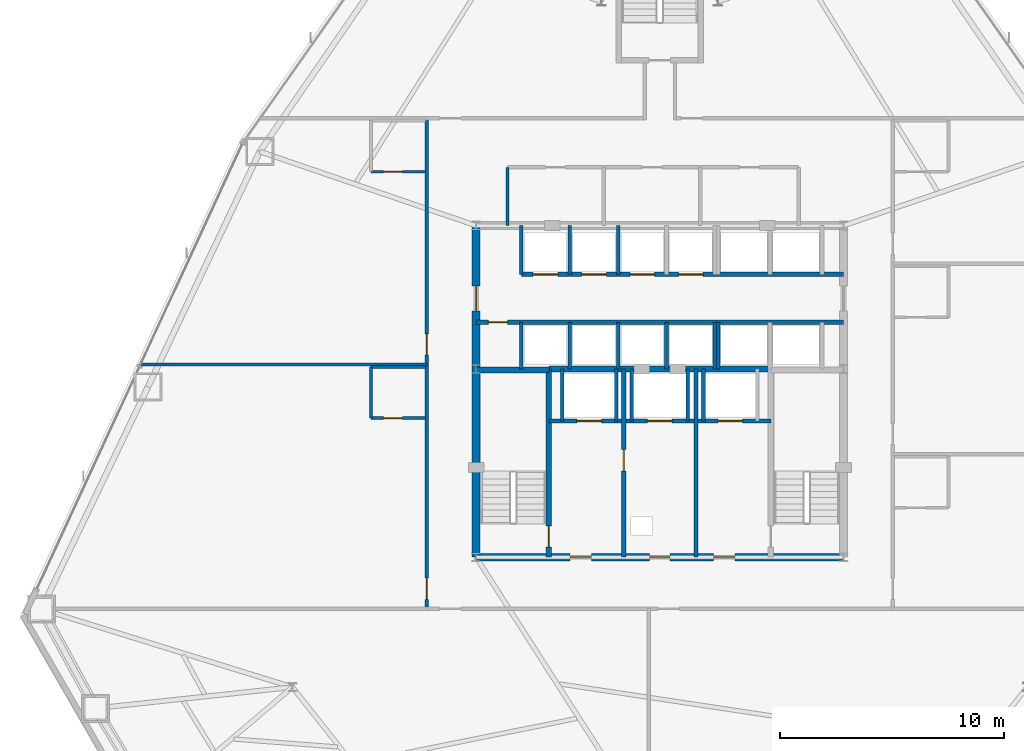
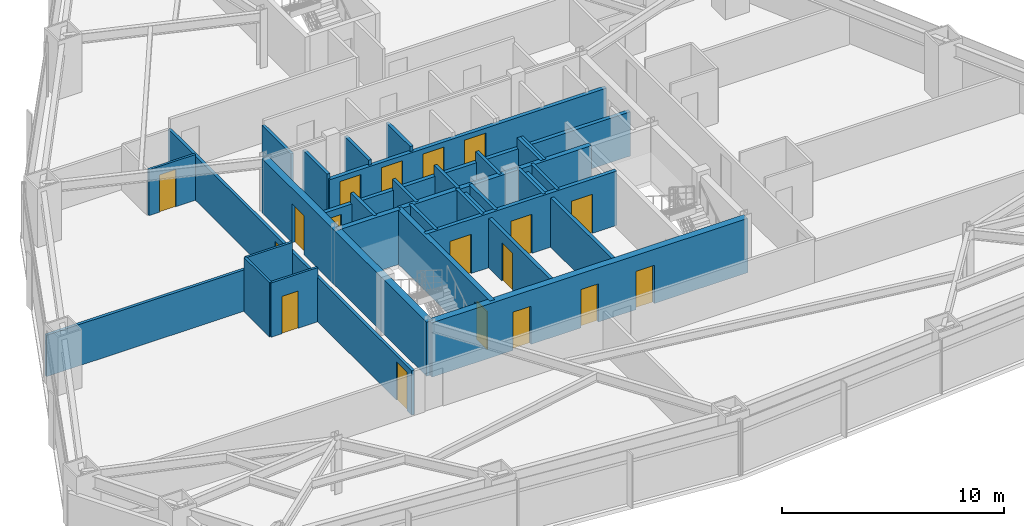
# One storey, part 9 of 12: 31 walls, 18 doors, 18 openings.
"""IFC4 building model written with IfcOpenShell, lengths in metres."""

from ifc_helpers import new_model, si_unit, direction, frame, frame_2d, origin, place, context, subcontext, project, spatial, rectangle, extrude, material, layer, layer_set, type_object, element, fill, save


model = new_model("IFC4")

# Units and contexts
model_context = context("Model", 3, precision=1e-05, world=origin(), true_north=direction((0.0, 1.0)))
body_context = subcontext(model_context, "Body", "Model", "MODEL_VIEW")
ifc_project = project(units=[si_unit("LENGTHUNIT", "METRE"), si_unit("AREAUNIT", "SQUARE_METRE"), si_unit("VOLUMEUNIT", "CUBIC_METRE"), si_unit("PLANEANGLEUNIT", "RADIAN"), si_unit("MASSUNIT", "GRAM", prefix="KILO")], contexts=[model_context])

# Site, building, storey
site_placement = place(None, origin())
site = spatial("IfcSite", under=ifc_project, at=site_placement, CompositionType="ELEMENT")
building_placement = place(site_placement, origin())
building = spatial("IfcBuilding", under=site, at=building_placement, Name="Varakhsha Concourse Tower", CompositionType="ELEMENT")
storey_placement = place(building_placement, frame((0.0, 0.0, 40.0)))
storey = spatial("IfcBuildingStorey", under=building, at=storey_placement, Name="L10", CompositionType="ELEMENT", Elevation=40.0)

# Wall, openings, doors
ifc_material_1 = material(Name="Concrete fc 65 MPa", Category="concrete")
ifc_layer_1 = layer(ifc_material_1, 0.35009765625, Name="WL-CORE-350")
ifc_layer_set_1 = layer_set([ifc_layer_1], Name="Concrete fc 65 MPa")
wall_type_1 = type_object("IfcWallType", Name="WL-CORE-350", PredefinedType="SHEAR", material=ifc_layer_set_1)
wall_1_placement = place(storey_placement, frame((31.800048828125, 16.39990234375, 0.0), z_axis=(0.0, 0.0, 1.0), x_axis=(1.0, 0.0, 0.0)))
wall_1 = element("IfcWall", 1, at=wall_1_placement, inside=storey, type_object=wall_type_1, Name="L10 Wall CWALL-S-L10", PredefinedType="SHEAR", context=body_context, shape_type="SweptSolid", body=[
    extrude(rectangle(XDim=16.39990234375, YDim=0.35009765625, at=frame_2d((8.199951171875, 0.0))), origin(), (0.0, 0.0, 1.0), 2.97998046875),
])
opening_1_placement = place(wall_1_placement, frame((7.75, 0.0, 0.0)))
opening_1 = element("IfcOpeningElement", 2, at=opening_1_placement, cuts=wall_1, Name="Opening DF-06", PredefinedType="OPENING", context=body_context, shape_type="SweptSolid", body=[
    extrude(rectangle(XDim=0.89990234375, YDim=2.10009765625, at=frame_2d((0.449951171875, 1.050048828125))), frame((0.0, 0.18505859375, 0.0), z_axis=(0.0, -1.0, 0.0), x_axis=(1.0, 0.0, 0.0)), (0.0, 0.0, 1.0), 0.3701171875),
])
opening_2_placement = place(wall_1_placement, frame((4.199951171875, 0.0, 0.0)))
opening_2 = element("IfcOpeningElement", 3, at=opening_2_placement, cuts=wall_1, Name="Opening DF-05", PredefinedType="OPENING", context=body_context, shape_type="SweptSolid", body=[
    extrude(rectangle(XDim=0.949951171875, YDim=2.10009765625, at=frame_2d((0.47509765625, 1.050048828125))), frame((0.0, 0.18505859375, 0.0), z_axis=(0.0, -1.0, 0.0), x_axis=(1.0, 0.0, 0.0)), (0.0, 0.0, 1.0), 0.3701171875),
])
opening_3_placement = place(wall_1_placement, frame((10.60009765625, 0.0, 0.0)))
opening_3 = element("IfcOpeningElement", 4, at=opening_3_placement, cuts=wall_1, Name="Opening DF-05", PredefinedType="OPENING", context=body_context, shape_type="SweptSolid", body=[
    extrude(rectangle(XDim=0.949951171875, YDim=2.10009765625, at=frame_2d((0.47509765625, 1.050048828125))), frame((0.0, 0.18505859375, 0.0), z_axis=(0.0, -1.0, 0.0), x_axis=(1.0, 0.0, 0.0)), (0.0, 0.0, 1.0), 0.3701171875),
])
ifc_material_2 = material(Name="Hollow Galvanised Steel Fire Door Assembly", Category="steel")
door_type_1 = type_object("IfcDoorType", Name="DR-FD60-900", OperationType="NOTDEFINED", PredefinedType="DOOR", material=ifc_material_2)
door_1_placement = place(opening_1_placement, origin())
door_1 = element("IfcDoor", 5, at=door_1_placement, inside=storey, type_object=door_type_1, Name="L10 Service Riser Vestibule Door", OperationType="SINGLE_SWING_LEFT", OverallHeight=2.10009765625, OverallWidth=0.89990234375, PredefinedType="DOOR", context=body_context, shape_type="SweptSolid", body=[
    extrude(rectangle(XDim=0.89990234375, YDim=2.10009765625, at=frame_2d((0.449951171875, 1.050048828125))), frame((0.0, 0.02490234375, 0.0), z_axis=(0.0, -1.0, 0.0), x_axis=(1.0, 0.0, 0.0)), (0.0, 0.0, 1.0), 0.050048828125),
])
fill(opening_1, door_1)
door_type_2 = type_object("IfcDoorType", Name="DR-FD60-950", OperationType="NOTDEFINED", PredefinedType="DOOR", material=ifc_material_2)
door_2_placement = place(opening_2_placement, origin())
door_2 = element("IfcDoor", 6, at=door_2_placement, inside=storey, type_object=door_type_2, Name="L10 Firefighting Lobby West Door", OperationType="SINGLE_SWING_RIGHT", OverallHeight=2.10009765625, OverallWidth=0.949951171875, PredefinedType="DOOR", context=body_context, shape_type="SweptSolid", body=[
    extrude(rectangle(XDim=0.949951171875, YDim=2.10009765625, at=frame_2d((0.47509765625, 1.050048828125))), frame((0.0, 0.02490234375, 0.0), z_axis=(0.0, -1.0, 0.0), x_axis=(1.0, 0.0, 0.0)), (0.0, 0.0, 1.0), 0.050048828125),
])
fill(opening_2, door_2)
door_3_placement = place(opening_3_placement, origin())
door_3 = element("IfcDoor", 7, at=door_3_placement, inside=storey, type_object=door_type_2, Name="L10 Firefighting Lobby East Door", OperationType="SINGLE_SWING_LEFT", OverallHeight=2.10009765625, OverallWidth=0.949951171875, PredefinedType="DOOR", context=body_context, shape_type="SweptSolid", body=[
    extrude(rectangle(XDim=0.949951171875, YDim=2.10009765625, at=frame_2d((0.47509765625, 1.050048828125))), frame((0.0, 0.02490234375, 0.0), z_axis=(0.0, -1.0, 0.0), x_axis=(1.0, 0.0, 0.0)), (0.0, 0.0, 1.0), 0.050048828125),
])
fill(opening_3, door_3)

# Wall, opening, door
wall_2_placement = place(storey_placement, frame((31.800048828125, 16.39990234375, 0.0), z_axis=(0.0, 0.0, 1.0), x_axis=(0.0, 1.0, 0.0)))
wall_2 = element("IfcWall", 8, at=wall_2_placement, inside=storey, type_object=wall_type_1, Name="L10 Wall CWALL-W-L10", PredefinedType="SHEAR", context=body_context, shape_type="SweptSolid", body=[
    extrude(rectangle(XDim=14.800048828125, YDim=0.35009765625, at=frame_2d((7.39990234375, 0.0))), origin(), (0.0, 0.0, 1.0), 2.97998046875),
])
opening_4_placement = place(wall_2_placement, frame((11.0, 0.0, 0.0)))
opening_4 = element("IfcOpeningElement", 9, at=opening_4_placement, cuts=wall_2, Name="Opening DL-01", PredefinedType="OPENING", context=body_context, shape_type="SweptSolid", body=[
    extrude(rectangle(XDim=1.10009765625, YDim=2.14990234375, at=frame_2d((0.550048828125, 1.074951171875))), frame((0.0, 0.18505859375, 0.0), z_axis=(0.0, -1.0, 0.0), x_axis=(1.0, 0.0, 0.0)), (0.0, 0.0, 1.0), 0.3701171875),
])
ifc_material_3 = material(Name="Anodised Bronze Architectural Aluminium AA 6063-T6", Category="aluminium")
door_type_3 = type_object("IfcDoorType", Name="DR-LOB-1100", OperationType="NOTDEFINED", PredefinedType="DOOR", material=ifc_material_3)
door_4_placement = place(opening_4_placement, origin())
door_4 = element("IfcDoor", 10, at=door_4_placement, inside=storey, type_object=door_type_3, Name="L10 Lift Lobby West Concourse Door", OperationType="SINGLE_SWING_LEFT", OverallHeight=2.14990234375, OverallWidth=1.10009765625, PredefinedType="DOOR", context=body_context, shape_type="SweptSolid", body=[
    extrude(rectangle(XDim=1.10009765625, YDim=2.14990234375, at=frame_2d((0.550048828125, 1.074951171875))), frame((0.0, 0.02490234375, 0.0), z_axis=(0.0, -1.0, 0.0), x_axis=(1.0, 0.0, 0.0)), (0.0, 0.0, 1.0), 0.050048828125),
])
fill(opening_4, door_4)

ifc_material_4 = material(Name="Fire-Rated Type X Gypsum Partition Assembly", Category="gypsum")
ifc_layer_2 = layer(ifc_material_4, 0.179931640625, Name="WL-FFLOB-180")
ifc_layer_set_2 = layer_set([ifc_layer_2], Name="Fire-Rated Type X Gypsum Partition Assembly")
wall_type_2 = type_object("IfcWallType", Name="WL-FFLOB-180", PredefinedType="PARTITIONING", material=ifc_layer_set_2)
wall_3_placement = place(storey_placement, frame((38.389892578125, 16.39990234375, 0.0), z_axis=(0.0, 0.0, 1.0), x_axis=(0.0, 1.0, 0.0)))
wall_3 = element("IfcWall", 11, at=wall_3_placement, inside=storey, type_object=wall_type_2, Name="L10 Wall FFW-1E-L10", PredefinedType="PARTITIONING", context=body_context, shape_type="SweptSolid", body=[
    extrude(rectangle(XDim=8.400146484375, YDim=0.179931640625, at=frame_2d((4.2001953125, 0.0))), origin(), (0.0, 0.0, 1.0), 2.7080078125),
])
opening_5_placement = place(wall_3_placement, frame((3.85009765625, 0.0, 0.0)))
opening_5 = element("IfcOpeningElement", 12, at=opening_5_placement, cuts=wall_3, Name="Opening DF-05", PredefinedType="OPENING", context=body_context, shape_type="SweptSolid", body=[
    extrude(rectangle(XDim=0.949951171875, YDim=2.10009765625, at=frame_2d((0.47509765625, 1.050048828125))), frame((0.0, 0.099853515625, 0.0), z_axis=(0.0, -1.0, 0.0), x_axis=(1.0, 0.0, 0.0)), (0.0, 0.0, 1.0), 0.199951171875),
])
door_5_placement = place(opening_5_placement, origin())
door_5 = element("IfcDoor", 13, at=door_5_placement, inside=storey, type_object=door_type_2, Name="L10 Service Vestibule Door", OperationType="SINGLE_SWING_RIGHT", OverallHeight=2.10009765625, OverallWidth=0.949951171875, PredefinedType="DOOR", context=body_context, shape_type="SweptSolid", body=[
    extrude(rectangle(XDim=0.949951171875, YDim=2.10009765625, at=frame_2d((0.47509765625, 1.050048828125))), frame((0.0, 0.02490234375, 0.0), z_axis=(0.0, -1.0, 0.0), x_axis=(1.0, 0.0, 0.0)), (0.0, 0.0, 1.0), 0.050048828125),
])
fill(opening_5, door_5)

# Walls
wall_4_placement = place(storey_placement, frame((41.610107421875, 16.39990234375, 0.0), z_axis=(0.0, 0.0, 1.0), x_axis=(0.0, 1.0, 0.0)))
element("IfcWall", 14, at=wall_4_placement, inside=storey, type_object=wall_type_2, Name="L10 Wall FFW-2W-L10", PredefinedType="PARTITIONING", context=body_context, shape_type="SweptSolid", body=[
    extrude(rectangle(XDim=8.400146484375, YDim=0.179931640625, at=frame_2d((4.2001953125, 0.0))), origin(), (0.0, 0.0, 1.0), 2.7080078125),
])
ifc_material_5 = material(Name="Acoustic Gypsum Board Partition Assembly", Category="gypsum")
ifc_layer_3 = layer(ifc_material_5, 0.1201171875, Name="WL-PART-120")
ifc_layer_set_3 = layer_set([ifc_layer_3], Name="Acoustic Gypsum Board Partition Assembly")
wall_type_3 = type_object("IfcWallType", Name="WL-PART-120", PredefinedType="PARTITIONING", material=ifc_layer_set_3)
wall_5_placement = place(storey_placement, frame((27.110107421875, 22.610107421875, 0.0), z_axis=(0.0, 0.0, 1.0), x_axis=(0.0, 1.0, 0.0)))
element("IfcWall", 15, at=wall_5_placement, inside=storey, type_object=wall_type_3, Name="L10 Wall ENSW-W-L10-H03", PredefinedType="PARTITIONING", context=body_context, shape_type="SweptSolid", body=[
    extrude(rectangle(XDim=2.27978515625, YDim=0.1201171875, at=frame_2d((1.139892578125, 0.0))), origin(), (0.0, 0.0, 1.0), 2.97998046875),
])

# Wall, opening, door
wall_6_placement = place(storey_placement, frame((27.110107421875, 22.610107421875, 0.0), z_axis=(0.0, 0.0, 1.0), x_axis=(1.0, 0.0, 0.0)))
wall_6 = element("IfcWall", 16, at=wall_6_placement, inside=storey, type_object=wall_type_3, Name="L10 Wall ENSW-S-L10-H03", PredefinedType="PARTITIONING", context=body_context, shape_type="SweptSolid", body=[
    extrude(rectangle(XDim=2.429931640625, YDim=0.1201171875, at=frame_2d((1.21484375, 0.0))), origin(), (0.0, 0.0, 1.0), 2.97998046875),
])
opening_6_placement = place(wall_6_placement, frame((0.550048828125, 0.0, 0.0)))
opening_6 = element("IfcOpeningElement", 17, at=opening_6_placement, cuts=wall_6, Name="Opening DI-01", PredefinedType="OPENING", context=body_context, shape_type="SweptSolid", body=[
    extrude(rectangle(XDim=0.85009765625, YDim=2.050048828125, at=frame_2d((0.425048828125, 1.02490234375))), frame((0.0, 0.070068359375, 0.0), z_axis=(0.0, -1.0, 0.0), x_axis=(1.0, 0.0, 0.0)), (0.0, 0.0, 1.0), 0.14013671875),
])
ifc_material_6 = material(Name="Architectural Walnut Acoustic Timber Door", Category="wood")
door_type_4 = type_object("IfcDoorType", Name="DR-INT-850", OperationType="NOTDEFINED", PredefinedType="DOOR", material=ifc_material_6)
door_6_placement = place(opening_6_placement, origin())
door_6 = element("IfcDoor", 18, at=door_6_placement, inside=storey, type_object=door_type_4, Name="L10 En-suite Bathroom Door L10-H03", OperationType="SINGLE_SWING_RIGHT", OverallHeight=2.050048828125, OverallWidth=0.85009765625, PredefinedType="DOOR", context=body_context, shape_type="SweptSolid", body=[
    extrude(rectangle(XDim=0.85009765625, YDim=2.050048828125, at=frame_2d((0.425048828125, 1.02490234375))), frame((0.0, 0.02490234375, 0.0), z_axis=(0.0, -1.0, 0.0), x_axis=(1.0, 0.0, 0.0)), (0.0, 0.0, 1.0), 0.050048828125),
])
fill(opening_6, door_6)

# Wall
wall_7_placement = place(storey_placement, frame((27.110107421875, 24.889892578125, 0.0), z_axis=(0.0, 0.0, 1.0), x_axis=(1.0, 0.0, 0.0)))
element("IfcWall", 19, at=wall_7_placement, inside=storey, type_object=wall_type_3, Name="L10 Wall ENSW-N-L10-H03", PredefinedType="PARTITIONING", context=body_context, shape_type="SweptSolid", body=[
    extrude(rectangle(XDim=2.429931640625, YDim=0.1201171875, at=frame_2d((1.21484375, 0.0))), origin(), (0.0, 0.0, 1.0), 2.97998046875),
])

# Wall, opening, door
wall_8_placement = place(storey_placement, frame((27.110107421875, 33.610107421875, 0.0), z_axis=(0.0, 0.0, 1.0), x_axis=(1.0, 0.0, 0.0)))
wall_8 = element("IfcWall", 20, at=wall_8_placement, inside=storey, type_object=wall_type_3, Name="L10 Wall ENSW-S-L10-H04", PredefinedType="PARTITIONING", context=body_context, shape_type="SweptSolid", body=[
    extrude(rectangle(XDim=2.429931640625, YDim=0.1201171875, at=frame_2d((1.21484375, 0.0))), origin(), (0.0, 0.0, 1.0), 2.512939453125),
])
opening_7_placement = place(wall_8_placement, frame((0.550048828125, 0.0, 0.0)))
opening_7 = element("IfcOpeningElement", 21, at=opening_7_placement, cuts=wall_8, Name="Opening DI-01", PredefinedType="OPENING", context=body_context, shape_type="SweptSolid", body=[
    extrude(rectangle(XDim=0.85009765625, YDim=2.050048828125, at=frame_2d((0.425048828125, 1.02490234375))), frame((0.0, 0.070068359375, 0.0), z_axis=(0.0, -1.0, 0.0), x_axis=(1.0, 0.0, 0.0)), (0.0, 0.0, 1.0), 0.14013671875),
])
door_7_placement = place(opening_7_placement, origin())
door_7 = element("IfcDoor", 22, at=door_7_placement, inside=storey, type_object=door_type_4, Name="L10 En-suite Bathroom Door L10-H04", OperationType="SINGLE_SWING_RIGHT", OverallHeight=2.050048828125, OverallWidth=0.85009765625, PredefinedType="DOOR", context=body_context, shape_type="SweptSolid", body=[
    extrude(rectangle(XDim=0.85009765625, YDim=2.050048828125, at=frame_2d((0.425048828125, 1.02490234375))), frame((0.0, 0.02490234375, 0.0), z_axis=(0.0, -1.0, 0.0), x_axis=(1.0, 0.0, 0.0)), (0.0, 0.0, 1.0), 0.050048828125),
])
fill(opening_7, door_7)

# Wall
ifc_layer_4 = layer(ifc_material_4, 0.14990234375, Name="WL-PART-150")
ifc_layer_set_4 = layer_set([ifc_layer_4], Name="Fire-Rated Type X Gypsum Partition Assembly")
wall_type_4 = type_object("IfcWallType", Name="WL-PART-150", PredefinedType="PARTITIONING", material=ifc_layer_set_4)
wall_9_placement = place(storey_placement, frame((33.199951171875, 31.199951171875, 0.0), z_axis=(0.0, 0.0, 1.0), x_axis=(0.0, 1.0, 0.0)))
element("IfcWall", 23, at=wall_9_placement, inside=storey, type_object=wall_type_4, Name="L10 Wall NBOH-W-L10", PredefinedType="PARTITIONING", context=body_context, shape_type="SweptSolid", body=[
    extrude(rectangle(XDim=2.60009765625, YDim=0.14990234375, at=frame_2d((1.300048828125, 0.0))), origin(), (0.0, 0.0, 1.0), 2.7080078125),
])

# Wall, openings, doors
wall_10_placement = place(storey_placement, frame((29.60009765625, 14.10009765625, 0.0), z_axis=(0.0, 0.0, 1.0), x_axis=(0.0, 1.0, 0.0)))
wall_10 = element("IfcWall", 24, at=wall_10_placement, inside=storey, type_object=wall_type_4, Name="L10 Wall CRW-W-L10", PredefinedType="PARTITIONING", context=body_context, shape_type="SweptSolid", body=[
    extrude(rectangle(XDim=21.89990234375, YDim=0.14990234375, at=frame_2d((10.949951171875, 0.0))), origin(), (0.0, 0.0, 1.0), 2.430908203125),
])
opening_8_placement = place(wall_10_placement, frame((0.419921875, 0.0, 0.0)))
opening_8 = element("IfcOpeningElement", 25, at=opening_8_placement, cuts=wall_10, Name="Opening DF-05", PredefinedType="OPENING", context=body_context, shape_type="SweptSolid", body=[
    extrude(rectangle(XDim=0.949951171875, YDim=2.10009765625, at=frame_2d((0.47509765625, 1.050048828125))), frame((0.0, 0.0849609375, 0.0), z_axis=(0.0, -1.0, 0.0), x_axis=(1.0, 0.0, 0.0)), (0.0, 0.0, 1.0), 0.169921875),
])
opening_9_placement = place(wall_10_placement, frame((11.320068359375, 0.0, 0.0)))
opening_9 = element("IfcOpeningElement", 26, at=opening_9_placement, cuts=wall_10, Name="Opening DF-05", PredefinedType="OPENING", context=body_context, shape_type="SweptSolid", body=[
    extrude(rectangle(XDim=0.949951171875, YDim=2.10009765625, at=frame_2d((0.47509765625, 1.050048828125))), frame((0.0, 0.0849609375, 0.0), z_axis=(0.0, -1.0, 0.0), x_axis=(1.0, 0.0, 0.0)), (0.0, 0.0, 1.0), 0.169921875),
])
door_8_placement = place(opening_8_placement, origin())
door_8 = element("IfcDoor", 27, at=door_8_placement, inside=storey, type_object=door_type_2, Name="L10 Hotel Corner Suite L10-H03 Entry Door", OperationType="SINGLE_SWING_LEFT", OverallHeight=2.10009765625, OverallWidth=0.949951171875, PredefinedType="DOOR", context=body_context, shape_type="SweptSolid", body=[
    extrude(rectangle(XDim=0.949951171875, YDim=2.10009765625, at=frame_2d((0.47509765625, 1.050048828125))), frame((0.0, 0.02490234375, 0.0), z_axis=(0.0, -1.0, 0.0), x_axis=(1.0, 0.0, 0.0)), (0.0, 0.0, 1.0), 0.050048828125),
])
fill(opening_8, door_8)
door_9_placement = place(opening_9_placement, origin())
door_9 = element("IfcDoor", 28, at=door_9_placement, inside=storey, type_object=door_type_2, Name="L10 Hotel Corner Suite L10-H04 Entry Door", OperationType="SINGLE_SWING_RIGHT", OverallHeight=2.10009765625, OverallWidth=0.949951171875, PredefinedType="DOOR", context=body_context, shape_type="SweptSolid", body=[
    extrude(rectangle(XDim=0.949951171875, YDim=2.10009765625, at=frame_2d((0.47509765625, 1.050048828125))), frame((0.0, 0.02490234375, 0.0), z_axis=(0.0, -1.0, 0.0), x_axis=(1.0, 0.0, 0.0)), (0.0, 0.0, 1.0), 0.050048828125),
])
fill(opening_9, door_9)

# Wall
wall_11_placement = place(storey_placement, frame((16.8251953125, 25.0, 0.0), z_axis=(0.0, 0.0, 1.0), x_axis=(1.0, 0.0, 0.0)))
element("IfcWall", 29, at=wall_11_placement, inside=storey, type_object=wall_type_4, Name="L10 Wall HDIV-W1-L10", PredefinedType="PARTITIONING", context=body_context, shape_type="SweptSolid", body=[
    extrude(rectangle(XDim=12.77490234375, YDim=0.14990234375, at=frame_2d((6.387451171875, 0.0))), origin(), (0.0, 0.0, 1.0), 2.26806640625),
])

# Wall, openings, doors
ifc_layer_5 = layer(ifc_material_4, 0.199951171875, Name="WL-SHAFT-220")
ifc_layer_set_5 = layer_set([ifc_layer_5], Name="Fire-Rated Type X Gypsum Partition Assembly")
wall_type_5 = type_object("IfcWallType", Name="WL-SHAFT-220", PredefinedType="SOLIDWALL", material=ifc_layer_set_5)
wall_12_placement = place(storey_placement, frame((35.044921875, 22.47998046875, 0.0), z_axis=(0.0, 0.0, 1.0), x_axis=(1.0, 0.0, 0.0)))
wall_12 = element("IfcWall", 30, at=wall_12_placement, inside=storey, type_object=wall_type_5, Name="L10 Wall FFW-NH-L10", PredefinedType="SOLIDWALL", context=body_context, shape_type="SweptSolid", body=[
    extrude(rectangle(XDim=9.91015625, YDim=0.199951171875, at=frame_2d((4.955078125, 0.0))), origin(), (0.0, 0.0, 1.0), 2.97998046875),
])
opening_10_placement = place(wall_12_placement, frame((1.2548828125, 0.0, 0.0)))
opening_10 = element("IfcOpeningElement", 31, at=opening_10_placement, cuts=wall_12, Name="Opening LD-FFL-1", PredefinedType="OPENING", context=body_context, shape_type="SweptSolid", body=[
    extrude(rectangle(XDim=1.10009765625, YDim=2.14990234375, at=frame_2d((0.550048828125, 1.074951171875))), frame((0.0, 0.10986328125, 0.0), z_axis=(0.0, -1.0, 0.0), x_axis=(1.0, 0.0, 0.0)), (0.0, 0.0, 1.0), 0.219970703125),
])
opening_11_placement = place(wall_12_placement, frame((7.554931640625, 0.0, 0.0)))
opening_11 = element("IfcOpeningElement", 32, at=opening_11_placement, cuts=wall_12, Name="Opening LD-FFL-2", PredefinedType="OPENING", context=body_context, shape_type="SweptSolid", body=[
    extrude(rectangle(XDim=1.10009765625, YDim=2.14990234375, at=frame_2d((0.550048828125, 1.074951171875))), frame((0.0, 0.10986328125, 0.0), z_axis=(0.0, -1.0, 0.0), x_axis=(1.0, 0.0, 0.0)), (0.0, 0.0, 1.0), 0.219970703125),
])
opening_12_placement = place(wall_12_placement, frame((4.405029296875, 0.0, 0.0)))
opening_12 = element("IfcOpeningElement", 33, at=opening_12_placement, cuts=wall_12, Name="Opening LD-SVL-1", PredefinedType="OPENING", context=body_context, shape_type="SweptSolid", body=[
    extrude(rectangle(XDim=1.10009765625, YDim=2.14990234375, at=frame_2d((0.550048828125, 1.074951171875))), frame((0.0, 0.10986328125, 0.0), z_axis=(0.0, -1.0, 0.0), x_axis=(1.0, 0.0, 0.0)), (0.0, 0.0, 1.0), 0.219970703125),
])
ifc_material_7 = material(Name="Brushed Austenitic Stainless Steel AISI 316", Category="steel")
door_type_5 = type_object("IfcDoorType", Name="DR-LD-1100", OperationType="DOUBLE_DOOR_SLIDING", PredefinedType="DOOR", material=ifc_material_7)
door_10_placement = place(opening_10_placement, origin())
door_10 = element("IfcDoor", 34, at=door_10_placement, inside=storey, type_object=door_type_5, Name="Lift Landing Door FFL-1 L10", OperationType="DOUBLE_DOOR_SLIDING", OverallHeight=2.14990234375, OverallWidth=1.10009765625, PredefinedType="DOOR", context=body_context, shape_type="SweptSolid", body=[
    extrude(rectangle(XDim=1.10009765625, YDim=2.14990234375, at=frame_2d((0.550048828125, 1.074951171875))), frame((0.0, 0.02490234375, 0.0), z_axis=(0.0, -1.0, 0.0), x_axis=(1.0, 0.0, 0.0)), (0.0, 0.0, 1.0), 0.050048828125),
])
fill(opening_10, door_10)
door_11_placement = place(opening_11_placement, origin())
door_11 = element("IfcDoor", 35, at=door_11_placement, inside=storey, type_object=door_type_5, Name="Lift Landing Door FFL-2 L10", OperationType="DOUBLE_DOOR_SLIDING", OverallHeight=2.14990234375, OverallWidth=1.10009765625, PredefinedType="DOOR", context=body_context, shape_type="SweptSolid", body=[
    extrude(rectangle(XDim=1.10009765625, YDim=2.14990234375, at=frame_2d((0.550048828125, 1.074951171875))), frame((0.0, 0.02490234375, 0.0), z_axis=(0.0, -1.0, 0.0), x_axis=(1.0, 0.0, 0.0)), (0.0, 0.0, 1.0), 0.050048828125),
])
fill(opening_11, door_11)
door_12_placement = place(opening_12_placement, origin())
door_12 = element("IfcDoor", 36, at=door_12_placement, inside=storey, type_object=door_type_5, Name="Lift Landing Door SVL-1 L10", OperationType="DOUBLE_DOOR_SLIDING", OverallHeight=2.14990234375, OverallWidth=1.10009765625, PredefinedType="DOOR", context=body_context, shape_type="SweptSolid", body=[
    extrude(rectangle(XDim=1.10009765625, YDim=2.14990234375, at=frame_2d((0.550048828125, 1.074951171875))), frame((0.0, 0.02490234375, 0.0), z_axis=(0.0, -1.0, 0.0), x_axis=(1.0, 0.0, 0.0)), (0.0, 0.0, 1.0), 0.050048828125),
])
fill(opening_12, door_12)

# Walls
for number, where, z_axis, x_axis, name in (
    (37, (35.64990234375, 22.47998046875, 0.0), (0.0, 0.0, 1.0), (0.0, 1.0, 0.0), "L10 Wall SHW-FFL-1-W-L10"),
    (38, (38.050048828125, 22.47998046875, 0.0), (0.0, 0.0, 1.0), (0.0, 1.0, 0.0), "L10 Wall SHW-FFL-1-E-L10"),
    (39, (41.949951171875, 22.47998046875, 0.0), (0.0, 0.0, 1.0), (0.0, 1.0, 0.0), "L10 Wall SHW-FFL-2-W-L10"),
    (40, (38.75, 22.47998046875, 0.0), (0.0, 0.0, 1.0), (0.0, 1.0, 0.0), "L10 Wall SHW-SVL-1-W-L10"),
    (41, (41.25, 22.47998046875, 0.0), (0.0, 0.0, 1.0), (0.0, 1.0, 0.0), "L10 Wall SHW-SVL-1-E-L10"),
):
    element("IfcWall", number, at=place(storey_placement, frame(where, z_axis=z_axis, x_axis=x_axis)), inside=storey, type_object=wall_type_5, Name=name, PredefinedType="SOLIDWALL", context=body_context, shape_type="SweptSolid", body=[
        extrude(rectangle(XDim=2.320068359375, YDim=0.159912109375, at=frame_2d((1.16015625, 0.0))), origin(), (0.0, 0.0, 1.0), 2.97998046875),
    ])

# Wall, openings, doors
wall_13_placement = place(storey_placement, frame((33.820068359375, 29.02001953125, 0.0), z_axis=(0.0, 0.0, 1.0), x_axis=(1.0, 0.0, 0.0)))
wall_13 = element("IfcWall", 42, at=wall_13_placement, inside=storey, type_object=wall_type_5, Name="L10 Wall PLW-N-L10", PredefinedType="SOLIDWALL", context=body_context, shape_type="SweptSolid", body=[
    extrude(rectangle(XDim=14.3798828125, YDim=0.199951171875, at=frame_2d((7.18994140625, 0.0))), origin(), (0.0, 0.0, 1.0), 2.430908203125),
])
opening_13_placement = place(wall_13_placement, frame((0.530029296875, 0.0, 0.0)))
opening_13 = element("IfcOpeningElement", 43, at=opening_13_placement, cuts=wall_13, Name="Opening LD-LF-P01", PredefinedType="OPENING", context=body_context, shape_type="SweptSolid", body=[
    extrude(rectangle(XDim=1.10009765625, YDim=2.14990234375, at=frame_2d((0.550048828125, 1.074951171875))), frame((0.0, 0.10986328125, 0.0), z_axis=(0.0, -1.0, 0.0), x_axis=(1.0, 0.0, 0.0)), (0.0, 0.0, 1.0), 0.219970703125),
])
opening_14_placement = place(wall_13_placement, frame((2.68994140625, 0.0, 0.0)))
opening_14 = element("IfcOpeningElement", 44, at=opening_14_placement, cuts=wall_13, Name="Opening LD-LF-P02", PredefinedType="OPENING", context=body_context, shape_type="SweptSolid", body=[
    extrude(rectangle(XDim=1.10009765625, YDim=2.14990234375, at=frame_2d((0.550048828125, 1.074951171875))), frame((0.0, 0.10986328125, 0.0), z_axis=(0.0, -1.0, 0.0), x_axis=(1.0, 0.0, 0.0)), (0.0, 0.0, 1.0), 0.219970703125),
])
opening_15_placement = place(wall_13_placement, frame((4.85009765625, 0.0, 0.0)))
opening_15 = element("IfcOpeningElement", 45, at=opening_15_placement, cuts=wall_13, Name="Opening LD-LF-P03", PredefinedType="OPENING", context=body_context, shape_type="SweptSolid", body=[
    extrude(rectangle(XDim=1.10009765625, YDim=2.14990234375, at=frame_2d((0.550048828125, 1.074951171875))), frame((0.0, 0.10986328125, 0.0), z_axis=(0.0, -1.0, 0.0), x_axis=(1.0, 0.0, 0.0)), (0.0, 0.0, 1.0), 0.219970703125),
])
opening_16_placement = place(wall_13_placement, frame((7.010009765625, 0.0, 0.0)))
opening_16 = element("IfcOpeningElement", 46, at=opening_16_placement, cuts=wall_13, Name="Opening LD-LF-P04", PredefinedType="OPENING", context=body_context, shape_type="SweptSolid", body=[
    extrude(rectangle(XDim=1.10009765625, YDim=2.14990234375, at=frame_2d((0.550048828125, 1.074951171875))), frame((0.0, 0.10986328125, 0.0), z_axis=(0.0, -1.0, 0.0), x_axis=(1.0, 0.0, 0.0)), (0.0, 0.0, 1.0), 0.219970703125),
])
door_13_placement = place(opening_13_placement, origin())
door_13 = element("IfcDoor", 47, at=door_13_placement, inside=storey, type_object=door_type_5, Name="Lift Landing Door LF-P01 L10", OperationType="DOUBLE_DOOR_SLIDING", OverallHeight=2.14990234375, OverallWidth=1.10009765625, PredefinedType="DOOR", context=body_context, shape_type="SweptSolid", body=[
    extrude(rectangle(XDim=1.10009765625, YDim=2.14990234375, at=frame_2d((0.550048828125, 1.074951171875))), frame((0.0, 0.02490234375, 0.0), z_axis=(0.0, -1.0, 0.0), x_axis=(1.0, 0.0, 0.0)), (0.0, 0.0, 1.0), 0.050048828125),
])
fill(opening_13, door_13)
door_14_placement = place(opening_14_placement, origin())
door_14 = element("IfcDoor", 48, at=door_14_placement, inside=storey, type_object=door_type_5, Name="Lift Landing Door LF-P02 L10", OperationType="DOUBLE_DOOR_SLIDING", OverallHeight=2.14990234375, OverallWidth=1.10009765625, PredefinedType="DOOR", context=body_context, shape_type="SweptSolid", body=[
    extrude(rectangle(XDim=1.10009765625, YDim=2.14990234375, at=frame_2d((0.550048828125, 1.074951171875))), frame((0.0, 0.02490234375, 0.0), z_axis=(0.0, -1.0, 0.0), x_axis=(1.0, 0.0, 0.0)), (0.0, 0.0, 1.0), 0.050048828125),
])
fill(opening_14, door_14)
door_15_placement = place(opening_15_placement, origin())
door_15 = element("IfcDoor", 49, at=door_15_placement, inside=storey, type_object=door_type_5, Name="Lift Landing Door LF-P03 L10", OperationType="DOUBLE_DOOR_SLIDING", OverallHeight=2.14990234375, OverallWidth=1.10009765625, PredefinedType="DOOR", context=body_context, shape_type="SweptSolid", body=[
    extrude(rectangle(XDim=1.10009765625, YDim=2.14990234375, at=frame_2d((0.550048828125, 1.074951171875))), frame((0.0, 0.02490234375, 0.0), z_axis=(0.0, -1.0, 0.0), x_axis=(1.0, 0.0, 0.0)), (0.0, 0.0, 1.0), 0.050048828125),
])
fill(opening_15, door_15)
door_16_placement = place(opening_16_placement, origin())
door_16 = element("IfcDoor", 50, at=door_16_placement, inside=storey, type_object=door_type_5, Name="Lift Landing Door LF-P04 L10", OperationType="DOUBLE_DOOR_SLIDING", OverallHeight=2.14990234375, OverallWidth=1.10009765625, PredefinedType="DOOR", context=body_context, shape_type="SweptSolid", body=[
    extrude(rectangle(XDim=1.10009765625, YDim=2.14990234375, at=frame_2d((0.550048828125, 1.074951171875))), frame((0.0, 0.02490234375, 0.0), z_axis=(0.0, -1.0, 0.0), x_axis=(1.0, 0.0, 0.0)), (0.0, 0.0, 1.0), 0.050048828125),
])
fill(opening_16, door_16)

# Wall, opening, door
wall_14_placement = place(storey_placement, frame((31.800048828125, 26.8798828125, 0.0), z_axis=(0.0, 0.0, 1.0), x_axis=(1.0, 0.0, 0.0)))
wall_14 = element("IfcWall", 51, at=wall_14_placement, inside=storey, type_object=wall_type_5, Name="L10 Wall PLW-S-L10", PredefinedType="SOLIDWALL", context=body_context, shape_type="SweptSolid", body=[
    extrude(rectangle(XDim=16.39990234375, YDim=0.199951171875, at=frame_2d((8.199951171875, 0.0))), origin(), (0.0, 0.0, 1.0), 2.430908203125),
])
opening_17_placement = place(wall_14_placement, frame((0.550048828125, 0.0, 0.0)))
opening_17 = element("IfcOpeningElement", 52, at=opening_17_placement, cuts=wall_14, Name="Opening DF-07", PredefinedType="OPENING", context=body_context, shape_type="SweptSolid", body=[
    extrude(rectangle(XDim=0.85009765625, YDim=2.050048828125, at=frame_2d((0.425048828125, 1.02490234375))), frame((0.0, 0.10986328125, 0.0), z_axis=(0.0, -1.0, 0.0), x_axis=(1.0, 0.0, 0.0)), (0.0, 0.0, 1.0), 0.219970703125),
])
door_type_6 = type_object("IfcDoorType", Name="DR-FD60-850", OperationType="NOTDEFINED", PredefinedType="DOOR", material=ifc_material_2)
door_17_placement = place(opening_17_placement, origin())
door_17 = element("IfcDoor", 53, at=door_17_placement, inside=storey, type_object=door_type_6, Name="L10 Core Telecoms Closet Door", OperationType="SINGLE_SWING_RIGHT", OverallHeight=2.050048828125, OverallWidth=0.85009765625, PredefinedType="DOOR", context=body_context, shape_type="SweptSolid", body=[
    extrude(rectangle(XDim=0.85009765625, YDim=2.050048828125, at=frame_2d((0.425048828125, 1.02490234375))), frame((0.0, 0.02490234375, 0.0), z_axis=(0.0, -1.0, 0.0), x_axis=(1.0, 0.0, 0.0)), (0.0, 0.0, 1.0), 0.050048828125),
])
fill(opening_17, door_17)

# Walls
wall_15_placement = place(storey_placement, frame((33.820068359375, 29.02001953125, 0.0), z_axis=(0.0, 0.0, 1.0), x_axis=(0.0, 1.0, 0.0)))
element("IfcWall", 54, at=wall_15_placement, inside=storey, type_object=wall_type_5, Name="L10 Wall WBOH-E1-L10", PredefinedType="SOLIDWALL", context=body_context, shape_type="SweptSolid", body=[
    extrude(rectangle(XDim=2.179931640625, YDim=0.159912109375, at=frame_2d((1.08984375, 0.0))), origin(), (0.0, 0.0, 1.0), 2.7080078125),
])
wall_16_placement = place(storey_placement, frame((33.820068359375, 24.800048828125, 0.0), z_axis=(0.0, 0.0, 1.0), x_axis=(0.0, 1.0, 0.0)))
element("IfcWall", 55, at=wall_16_placement, inside=storey, type_object=wall_type_5, Name="L10 Wall WBOH-E2-L10", PredefinedType="SOLIDWALL", context=body_context, shape_type="SweptSolid", body=[
    extrude(rectangle(XDim=2.079833984375, YDim=0.159912109375, at=frame_2d((1.0400390625, 0.0))), origin(), (0.0, 0.0, 1.0), 2.97998046875),
])
for number, where, z_axis, x_axis, name in (
    (56, (35.97998046875, 29.02001953125, 0.0), (0.0, 0.0, 1.0), (0.0, 1.0, 0.0), "L10 Wall SHW-LF-P01-E-L10"),
    (57, (38.139892578125, 29.02001953125, 0.0), (0.0, 0.0, 1.0), (0.0, 1.0, 0.0), "L10 Wall SHW-LF-P02-E-L10"),
):
    element("IfcWall", number, at=place(storey_placement, frame(where, z_axis=z_axis, x_axis=x_axis)), inside=storey, type_object=wall_type_5, Name=name, PredefinedType="SOLIDWALL", context=body_context, shape_type="SweptSolid", body=[
        extrude(rectangle(XDim=2.179931640625, YDim=0.159912109375, at=frame_2d((1.08984375, 0.0))), origin(), (0.0, 0.0, 1.0), 2.7080078125),
    ])
for number, where, z_axis, x_axis, name in (
    (58, (35.97998046875, 24.800048828125, 0.0), (0.0, 0.0, 1.0), (0.0, 1.0, 0.0), "L10 Wall SHW-LF-P05-E-L10"),
    (59, (38.139892578125, 24.800048828125, 0.0), (0.0, 0.0, 1.0), (0.0, 1.0, 0.0), "L10 Wall SHW-LF-P06-E-L10"),
    (60, (40.300048828125, 24.800048828125, 0.0), (0.0, 0.0, 1.0), (0.0, 1.0, 0.0), "L10 Wall SHW-LF-P07-E-L10"),
    (61, (42.4599609375, 24.800048828125, 0.0), (0.0, 0.0, 1.0), (0.0, 1.0, 0.0), "L10 Wall SHW-LF-P08-E-L10"),
    (62, (42.60009765625, 24.800048828125, 0.0), (0.0, 0.0, 1.0), (0.0, 1.0, 0.0), "L10 Wall SHW-LF-P11-W-L10"),
):
    element("IfcWall", number, at=place(storey_placement, frame(where, z_axis=z_axis, x_axis=x_axis)), inside=storey, type_object=wall_type_5, Name=name, PredefinedType="SOLIDWALL", context=body_context, shape_type="SweptSolid", body=[
        extrude(rectangle(XDim=2.079833984375, YDim=0.159912109375, at=frame_2d((1.0400390625, 0.0))), origin(), (0.0, 0.0, 1.0), 2.97998046875),
    ])

# Wall, opening, door
ifc_material_8 = material(Name="Concrete fc 45 MPa", Category="concrete")
ifc_layer_6 = layer(ifc_material_8, 0.25, Name="WL-STAIR-250")
ifc_layer_set_6 = layer_set([ifc_layer_6], Name="Concrete fc 45 MPa")
wall_type_6 = type_object("IfcWallType", Name="WL-STAIR-250", PredefinedType="SHEAR", material=ifc_layer_set_6)
wall_17_placement = place(storey_placement, frame((35.044921875, 16.39990234375, 0.0), z_axis=(0.0, 0.0, 1.0), x_axis=(0.0, 1.0, 0.0)))
wall_17 = element("IfcWall", 63, at=wall_17_placement, inside=storey, type_object=wall_type_6, Name="L10 Wall SWALL-ST1-E-L10", PredefinedType="SHEAR", context=body_context, shape_type="SweptSolid", body=[
    extrude(rectangle(XDim=8.400146484375, YDim=0.25, at=frame_2d((4.2001953125, 0.0))), origin(), (0.0, 0.0, 1.0), 2.97998046875),
])
opening_18_placement = place(wall_17_placement, frame((0.449951171875, 0.0, 0.0)))
opening_18 = element("IfcOpeningElement", 64, at=opening_18_placement, cuts=wall_17, Name="Opening DF-03", PredefinedType="OPENING", context=body_context, shape_type="SweptSolid", body=[
    extrude(rectangle(XDim=0.949951171875, YDim=2.10009765625, at=frame_2d((0.47509765625, 1.050048828125))), frame((0.0, 0.135009765625, 0.0), z_axis=(0.0, -1.0, 0.0), x_axis=(1.0, 0.0, 0.0)), (0.0, 0.0, 1.0), 0.27001953125),
])
door_type_7 = type_object("IfcDoorType", Name="DR-FD90-950", OperationType="NOTDEFINED", PredefinedType="DOOR", material=ifc_material_2)
door_18_placement = place(opening_18_placement, origin())
door_18 = element("IfcDoor", 65, at=door_18_placement, inside=storey, type_object=door_type_7, Name="L10 Stair ST1 Fire Door", OperationType="SINGLE_SWING_LEFT", OverallHeight=2.10009765625, OverallWidth=0.949951171875, PredefinedType="DOOR", context=body_context, shape_type="SweptSolid", body=[
    extrude(rectangle(XDim=0.949951171875, YDim=2.10009765625, at=frame_2d((0.47509765625, 1.050048828125))), frame((0.0, 0.02490234375, 0.0), z_axis=(0.0, -1.0, 0.0), x_axis=(1.0, 0.0, 0.0)), (0.0, 0.0, 1.0), 0.050048828125),
])
fill(opening_18, door_18)

# Walls
wall_18_placement = place(storey_placement, frame((31.800048828125, 24.7548828125, 0.0), z_axis=(0.0, 0.0, 1.0), x_axis=(1.0, 0.0, 0.0)))
element("IfcWall", 66, at=wall_18_placement, inside=storey, type_object=wall_type_6, Name="L10 Wall SWALL-ST1-N-L10", PredefinedType="SHEAR", context=body_context, shape_type="SweptSolid", body=[
    extrude(rectangle(XDim=3.244873046875, YDim=0.25, at=frame_2d((1.62255859375, 0.0))), origin(), (0.0, 0.0, 1.0), 2.97998046875),
])
wall_19_placement = place(storey_placement, frame((35.044921875, 24.800048828125, 0.0), z_axis=(0.0, 0.0, 1.0), x_axis=(1.0, 0.0, 0.0)))
element("IfcWall", 67, at=wall_19_placement, inside=storey, type_object=wall_type_6, Name="L10 Wall SWALL-MID-H-L10", PredefinedType="SHEAR", context=body_context, shape_type="SweptSolid", body=[
    extrude(rectangle(XDim=9.91015625, YDim=0.25, at=frame_2d((4.955078125, 0.0))), origin(), (0.0, 0.0, 1.0), 2.97998046875),
])

save(model, "model.ifc")
